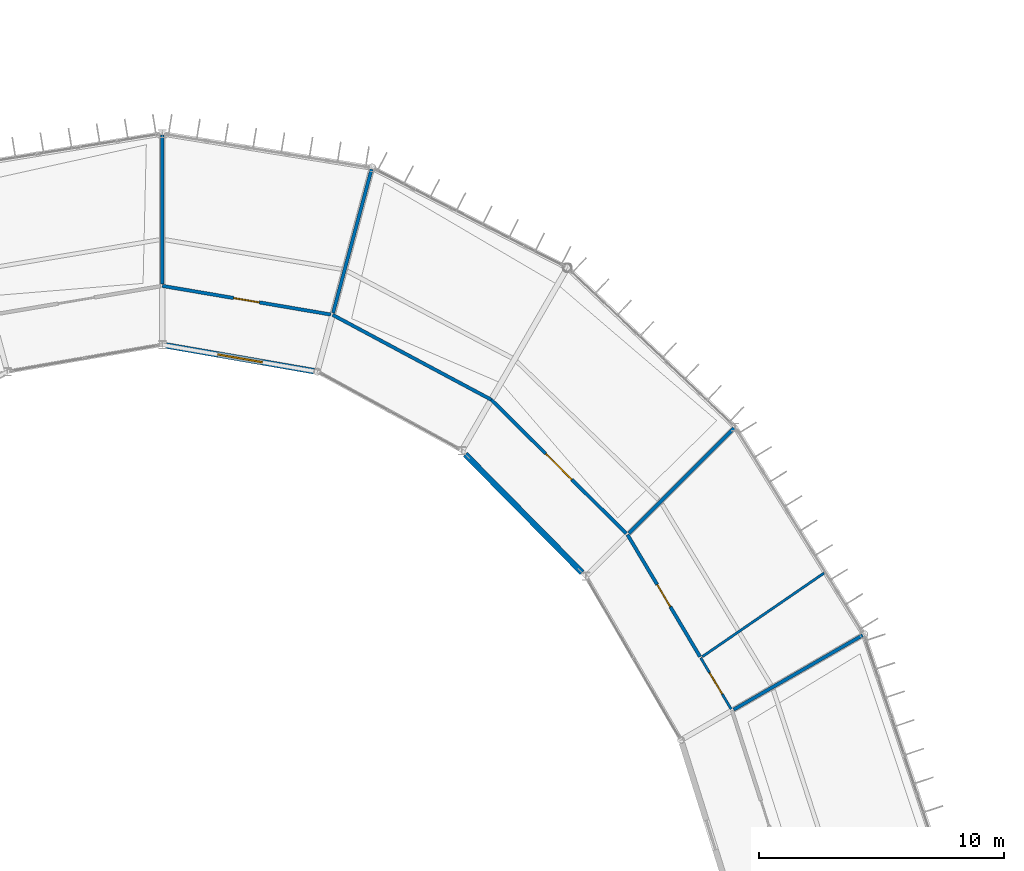
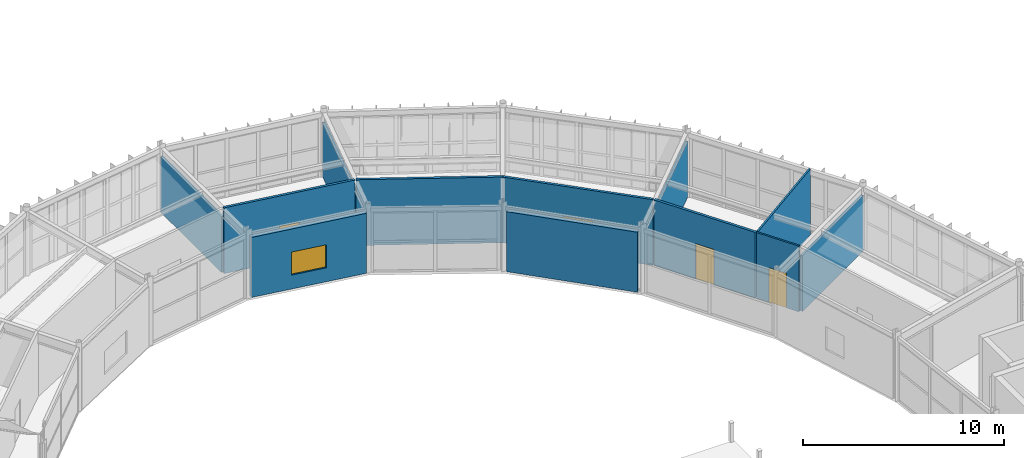
# One storey, part 129 of 147: 12 walls, 4 doors, 1 window, 5 openings.
"""IFC4 building model written with IfcOpenShell, lengths in metres."""

from ifc_helpers import new_model, si_unit, direction, frame, frame_2d, origin, place, context, subcontext, project, spatial, rectangle, extrude, material, layer, layer_set, type_object, element, fill, save


model = new_model("IFC4")

# Units and contexts
model_context = context("Model", 3, precision=1e-05, world=origin(), true_north=direction((0.0, 1.0)))
body_context = subcontext(model_context, "Body", "Model", "MODEL_VIEW")
ifc_project = project(units=[si_unit("LENGTHUNIT", "METRE"), si_unit("AREAUNIT", "SQUARE_METRE"), si_unit("VOLUMEUNIT", "CUBIC_METRE"), si_unit("PLANEANGLEUNIT", "RADIAN"), si_unit("MASSUNIT", "GRAM", prefix="KILO")], contexts=[model_context])

# Site, building, storey
site_placement = place(None, origin())
site = spatial("IfcSite", under=ifc_project, at=site_placement, CompositionType="ELEMENT")
building_placement = place(site_placement, origin())
building = spatial("IfcBuilding", under=site, at=building_placement, Name="Karori Crest Natural Sciences Institute", CompositionType="ELEMENT")
storey_placement = place(building_placement, frame((0.0, 0.0, 9.10009765625)))
storey = spatial("IfcBuildingStorey", under=building, at=storey_placement, Name="L02", CompositionType="ELEMENT", Elevation=9.10009765625)

# Wall
ifc_material_1 = material(Name="Laboratory acoustic drywall partition")
ifc_layer_1 = layer(ifc_material_1, 0.139892578125, Name="Laboratory acoustic drywall partition")
ifc_layer_set_1 = layer_set([ifc_layer_1], Name="Laboratory acoustic drywall partition")
wall_type_1 = type_object("IfcWallType", Name="IWT-07", PredefinedType="PARTITIONING", material=ifc_layer_set_1)
wall_1_placement = place(storey_placement, frame((89.6787109375, 67.239990234375, 0.0), z_axis=(0.0, 0.0, 1.0), x_axis=(0.866020543329, 0.500008418462, 0.0)))
element("IfcWall", 1, at=wall_1_placement, inside=storey, type_object=wall_type_1, Name="Partition wall IW-1251", PredefinedType="PARTITIONING", context=body_context, shape_type="SweptSolid", body=[
    extrude(rectangle(XDim=6.06005859375, YDim=0.139892578125, at=frame_2d((3.030029296875, 0.0))), origin(), (0.0, 0.0, 1.0), 3.391845703125),
])

# Wall, opening, door
wall_2_placement = place(storey_placement, frame((88.30517578125, 69.39453125, 0.0), z_axis=(0.0, 0.0, 1.0), x_axis=(-0.510896676259, 0.859642126811, 0.0)))
wall_2 = element("IfcWall", 2, at=wall_2_placement, inside=storey, type_object=wall_type_1, Name="Partition wall IW-1254", PredefinedType="PARTITIONING", context=body_context, shape_type="SweptSolid", body=[
    extrude(rectangle(XDim=5.783203125, YDim=0.139892578125, at=frame_2d((2.8916015625, 0.0))), origin(), (0.0, 0.0, 1.0), 4.0),
])
opening_1_placement = place(wall_2_placement, frame((2.366455078125, 0.0, 0.0)))
opening_1 = element("IfcOpeningElement", 3, at=opening_1_placement, cuts=wall_2, Name="Opening ID-0385", PredefinedType="OPENING", context=body_context, shape_type="SweptSolid", body=[
    extrude(rectangle(XDim=1.050048828125, YDim=2.14990234375, at=frame_2d((0.52490234375, 1.074951171875))), frame((0.0, 0.080078125, 0.0), z_axis=(0.0, -1.0, 0.0), x_axis=(1.0, 0.0, 0.0)), (0.0, 0.0, 1.0), 0.159912109375),
])
ifc_material_2 = material(Name="Stainless steel 316 and fire-rated timber", Category="steel")
door_type_1 = type_object("IfcDoorType", Name="IDT-03", OperationType="NOTDEFINED", PredefinedType="DOOR", material=ifc_material_2)
door_1_placement = place(opening_1_placement, origin())
door_1 = element("IfcDoor", 4, at=door_1_placement, inside=storey, type_object=door_type_1, Name="Janitor and Consumables Store door ID-0385", OperationType="SINGLE_SWING_LEFT", OverallHeight=2.14990234375, OverallWidth=1.050048828125, PredefinedType="DOOR", context=body_context, shape_type="SweptSolid", body=[
    extrude(rectangle(XDim=1.050048828125, YDim=2.14990234375, at=frame_2d((0.52490234375, 1.074951171875))), frame((0.0, 0.02490234375, 0.0), z_axis=(0.0, -1.0, 0.0), x_axis=(1.0, 0.0, 0.0)), (0.0, 0.0, 1.0), 0.050048828125),
])
fill(opening_1, door_1)

# Wall
wall_3_placement = place(storey_placement, frame((85.406982421875, 74.422607421875, 0.0), z_axis=(0.0, 0.0, 1.0), x_axis=(0.70712692467, 0.707086637129, 0.0)))
element("IfcWall", 5, at=wall_3_placement, inside=storey, type_object=wall_type_1, Name="Partition wall IW-1255", PredefinedType="PARTITIONING", context=body_context, shape_type="SweptSolid", body=[
    extrude(rectangle(XDim=6.06005859375, YDim=0.139892578125, at=frame_2d((3.030029296875, 0.0))), origin(), (0.0, 0.0, 1.0), 3.391845703125),
])

# Wall, opening, door
wall_4_placement = place(storey_placement, frame((85.29931640625, 74.41650390625, 0.0), z_axis=(0.0, 0.0, 1.0), x_axis=(-0.710410596589, 0.703787456732, 0.0)))
wall_4 = element("IfcWall", 6, at=wall_4_placement, inside=storey, type_object=wall_type_1, Name="Partition wall IW-1256", PredefinedType="PARTITIONING", context=body_context, shape_type="SweptSolid", body=[
    extrude(rectangle(XDim=7.740966796875, YDim=0.139892578125, at=frame_2d((3.87060546875, 0.0))), origin(), (0.0, 0.0, 1.0), 4.0),
])
opening_2_placement = place(wall_4_placement, frame((3.12060546875, 0.0, 0.0)))
opening_2 = element("IfcOpeningElement", 7, at=opening_2_placement, cuts=wall_4, Name="Opening ID-0386", PredefinedType="OPENING", context=body_context, shape_type="SweptSolid", body=[
    extrude(rectangle(XDim=1.5, YDim=2.14990234375, at=frame_2d((0.75, 1.074951171875))), frame((0.0, 0.080078125, 0.0), z_axis=(0.0, -1.0, 0.0), x_axis=(1.0, 0.0, 0.0)), (0.0, 0.0, 1.0), 0.159912109375),
])
door_type_2 = type_object("IfcDoorType", Name="IDT-05", OperationType="DOUBLE_DOOR_SINGLE_SWING", PredefinedType="DOOR", material=ifc_material_2)
door_2_placement = place(opening_2_placement, origin())
door_2 = element("IfcDoor", 8, at=door_2_placement, inside=storey, type_object=door_type_2, Name="Organic Biogeochemistry Laboratory door ID-0386", OperationType="DOUBLE_DOOR_SINGLE_SWING", OverallHeight=2.14990234375, OverallWidth=1.5, PredefinedType="DOOR", context=body_context, shape_type="SweptSolid", body=[
    extrude(rectangle(XDim=1.5, YDim=2.14990234375, at=frame_2d((0.75, 1.074951171875))), frame((0.0, 0.02490234375, 0.0), z_axis=(0.0, -1.0, 0.0), x_axis=(1.0, 0.0, 0.0)), (0.0, 0.0, 1.0), 0.050048828125),
])
fill(opening_2, door_2)

# Walls
wall_5_placement = place(storey_placement, frame((79.798095703125, 79.865478515625, 0.0), z_axis=(0.0, 0.0, 1.0), x_axis=(-0.881822986749, 0.471580555199, 0.0)))
element("IfcWall", 9, at=wall_5_placement, inside=storey, type_object=wall_type_1, Name="Partition wall IW-1257", PredefinedType="PARTITIONING", context=body_context, shape_type="SweptSolid", body=[
    extrude(rectangle(XDim=7.32763671875, YDim=0.139892578125, at=frame_2d((3.663818359375, 0.0))), origin(), (0.0, 0.0, 1.0), 4.0),
])
wall_6_placement = place(storey_placement, frame((73.357177734375, 83.398193359375, 0.0), z_axis=(0.0, 0.0, 1.0), x_axis=(0.258805895167, 0.965929349708, 0.0)))
element("IfcWall", 10, at=wall_6_placement, inside=storey, type_object=wall_type_1, Name="Partition wall IW-1258", PredefinedType="PARTITIONING", context=body_context, shape_type="SweptSolid", body=[
    extrude(rectangle(XDim=6.06005859375, YDim=0.139892578125, at=frame_2d((3.030029296875, 0.0))), origin(), (0.0, 0.0, 1.0), 3.322998046875),
])

# Wall, opening, door
wall_7_placement = place(storey_placement, frame((73.26513671875, 83.3330078125, 0.0), z_axis=(0.0, 0.0, 1.0), x_axis=(-0.985858163623, 0.167581864229, 0.0)))
wall_7 = element("IfcWall", 11, at=wall_7_placement, inside=storey, type_object=wall_type_1, Name="Partition wall IW-1259", PredefinedType="PARTITIONING", context=body_context, shape_type="SweptSolid", body=[
    extrude(rectangle(XDim=6.963623046875, YDim=0.139892578125, at=frame_2d((3.48193359375, 0.0))), origin(), (0.0, 0.0, 1.0), 4.0),
])
opening_3_placement = place(wall_7_placement, frame((2.956787109375, 0.0, 0.0)))
opening_3 = element("IfcOpeningElement", 12, at=opening_3_placement, cuts=wall_7, Name="Opening ID-0387", PredefinedType="OPENING", context=body_context, shape_type="SweptSolid", body=[
    extrude(rectangle(XDim=1.050048828125, YDim=2.14990234375, at=frame_2d((0.52490234375, 1.074951171875))), frame((0.0, 0.080078125, 0.0), z_axis=(0.0, -1.0, 0.0), x_axis=(1.0, 0.0, 0.0)), (0.0, 0.0, 1.0), 0.159912109375),
])
door_3_placement = place(opening_3_placement, origin())
door_3 = element("IfcDoor", 13, at=door_3_placement, inside=storey, type_object=door_type_1, Name="Wet Biology Laboratory door ID-0387", OperationType="SINGLE_SWING_RIGHT", OverallHeight=2.14990234375, OverallWidth=1.050048828125, PredefinedType="DOOR", context=body_context, shape_type="SweptSolid", body=[
    extrude(rectangle(XDim=1.050048828125, YDim=2.14990234375, at=frame_2d((0.52490234375, 1.074951171875))), frame((0.0, 0.02490234375, 0.0), z_axis=(0.0, -1.0, 0.0), x_axis=(1.0, 0.0, 0.0)), (0.0, 0.0, 1.0), 0.050048828125),
])
fill(opening_3, door_3)

# Wall
wall_8_placement = place(storey_placement, frame((66.39990234375, 84.580078125, 0.0), z_axis=(0.0, 0.0, 1.0), x_axis=(0.0, 1.0, 0.0)))
element("IfcWall", 14, at=wall_8_placement, inside=storey, type_object=wall_type_1, Name="Partition wall IW-1260", PredefinedType="PARTITIONING", context=body_context, shape_type="SweptSolid", body=[
    extrude(rectangle(XDim=6.059814453125, YDim=0.139892578125, at=frame_2d((3.02978515625, 0.0))), origin(), (0.0, 0.0, 1.0), 3.391845703125),
])

# Wall, opening, door
ifc_material_3 = material(Name="Washroom moisture-resistant partition")
ifc_layer_2 = layer(ifc_material_3, 0.10009765625, Name="Washroom moisture-resistant partition")
ifc_layer_set_2 = layer_set([ifc_layer_2], Name="Washroom moisture-resistant partition")
wall_type_2 = type_object("IfcWallType", Name="IWT-09", PredefinedType="PARTITIONING", material=ifc_layer_set_2)
wall_9_placement = place(storey_placement, frame((89.57275390625, 67.261962890625, 0.0), z_axis=(0.0, 0.0, 1.0), x_axis=(-0.510928867953, 0.859622994046, 0.0)))
wall_9 = element("IfcWall", 15, at=wall_9_placement, inside=storey, type_object=wall_type_2, Name="Partition wall IW-1252", PredefinedType="PARTITIONING", context=body_context, shape_type="SweptSolid", body=[
    extrude(rectangle(XDim=2.428955078125, YDim=0.10009765625, at=frame_2d((1.21435546875, 0.0))), origin(), (0.0, 0.0, 1.0), 4.0),
])
opening_4_placement = place(wall_9_placement, frame((0.71435546875, 0.0, 0.0)))
opening_4 = element("IfcOpeningElement", 16, at=opening_4_placement, cuts=wall_9, Name="Opening ID-0384", PredefinedType="OPENING", context=body_context, shape_type="SweptSolid", body=[
    extrude(rectangle(XDim=1.0, YDim=2.10009765625, at=frame_2d((0.5, 1.050048828125))), frame((0.0, 0.06005859375, 0.0), z_axis=(0.0, -1.0, 0.0), x_axis=(1.0, 0.0, 0.0)), (0.0, 0.0, 1.0), 0.1201171875),
])
ifc_material_4 = material(Name="Anodised aluminium and acoustic timber", Category="wood")
door_type_3 = type_object("IfcDoorType", Name="IDT-09", OperationType="NOTDEFINED", PredefinedType="DOOR", material=ifc_material_4)
door_4_placement = place(opening_4_placement, origin())
door_4 = element("IfcDoor", 17, at=door_4_placement, inside=storey, type_object=door_type_3, Name="Accessible WC door ID-0384", OperationType="SINGLE_SWING_RIGHT", OverallHeight=2.10009765625, OverallWidth=1.0, PredefinedType="DOOR", context=body_context, shape_type="SweptSolid", body=[
    extrude(rectangle(XDim=1.0, YDim=2.10009765625, at=frame_2d((0.5, 1.050048828125))), frame((0.0, 0.02490234375, 0.0), z_axis=(0.0, -1.0, 0.0), x_axis=(1.0, 0.0, 0.0)), (0.0, 0.0, 1.0), 0.050048828125),
])
fill(opening_4, door_4)

# Walls
wall_10_placement = place(storey_placement, frame((88.397705078125, 69.39501953125, 0.0), z_axis=(0.0, 0.0, 1.0), x_axis=(0.824271584206, 0.566194626847, 0.0)))
element("IfcWall", 18, at=wall_10_placement, inside=storey, type_object=wall_type_2, Name="Partition wall IW-1253", PredefinedType="PARTITIONING", context=body_context, shape_type="SweptSolid", body=[
    extrude(rectangle(XDim=6.015625, YDim=0.10009765625, at=frame_2d((3.0078125, 0.0))), origin(), (0.0, 0.0, 1.0), 4.0),
])
ifc_material_5 = material(Name="Precast concrete 40 MPa", Category="concrete")
ifc_layer_3 = layer(ifc_material_5, 0.239990234375, Name="Precast concrete 40 MPa")
ifc_layer_set_3 = layer_set([ifc_layer_3], Name="Precast concrete 40 MPa")
wall_type_3 = type_object("IfcWallType", Name="WT-04", PredefinedType="SOLIDWALL", material=ifc_layer_set_3)
wall_11_placement = place(storey_placement, frame((83.501220703125, 72.82275390625, 0.0), z_axis=(0.0, 0.0, 1.0), x_axis=(-0.702669438652, 0.711516450958, 0.0)))
element("IfcWall", 19, at=wall_11_placement, inside=storey, type_object=wall_type_3, Name="Exterior wall EW-0052", PredefinedType="SOLIDWALL", context=body_context, shape_type="SweptSolid", body=[
    extrude(rectangle(XDim=6.760986328125, YDim=0.239990234375, at=frame_2d((3.38037109375, 0.0))), origin(), (0.0, 0.0, 1.0), 3.64990234375),
])

# Wall, opening, window
wall_12_placement = place(storey_placement, frame((72.582763671875, 81.02587890625, 0.0), z_axis=(0.0, 0.0, 1.0), x_axis=(-0.985241011519, 0.171172863562, 0.0)))
wall_12 = element("IfcWall", 20, at=wall_12_placement, inside=storey, type_object=wall_type_3, Name="Exterior wall EW-0053", PredefinedType="SOLIDWALL", context=body_context, shape_type="SweptSolid", body=[
    extrude(rectangle(XDim=6.12158203125, YDim=0.239990234375, at=frame_2d((3.060791015625, 0.0))), origin(), (0.0, 0.0, 1.0), 3.64990234375),
])
opening_5_placement = place(wall_12_placement, frame((2.1357421875, 0.0, 0.85009765625)))
opening_5 = element("IfcOpeningElement", 21, at=opening_5_placement, cuts=wall_12, Name="Opening WN-0016", PredefinedType="OPENING", context=body_context, shape_type="SweptSolid", body=[
    extrude(rectangle(XDim=1.85009765625, YDim=1.39990234375, at=frame_2d((0.925048828125, 0.699951171875))), frame((0.0, 0.1298828125, 0.0), z_axis=(0.0, -1.0, 0.0), x_axis=(1.0, 0.0, 0.0)), (0.0, 0.0, 1.0), 0.260009765625),
])
ifc_material_6 = material(Name="Double low-E laminated glass", Category="glass")
window_type = type_object("IfcWindowType", Name="WNT-06", PartitioningType="SINGLE_PANEL", PredefinedType="WINDOW", material=ifc_material_6)
window_placement = place(opening_5_placement, origin())
window = element("IfcWindow", 22, at=window_placement, inside=storey, type_object=window_type, Name="Window WN-0016", OverallHeight=1.39990234375, OverallWidth=1.85009765625, PartitioningType="SINGLE_PANEL", PredefinedType="WINDOW", context=body_context, shape_type="SweptSolid", body=[
    extrude(rectangle(XDim=1.85009765625, YDim=1.39990234375, at=frame_2d((0.925048828125, 0.699951171875))), frame((0.0, 0.030029296875, 0.0), z_axis=(0.0, -1.0, 0.0), x_axis=(1.0, 0.0, 0.0)), (0.0, 0.0, 1.0), 0.06005859375),
])
fill(opening_5, window)

save(model, "model.ifc")
